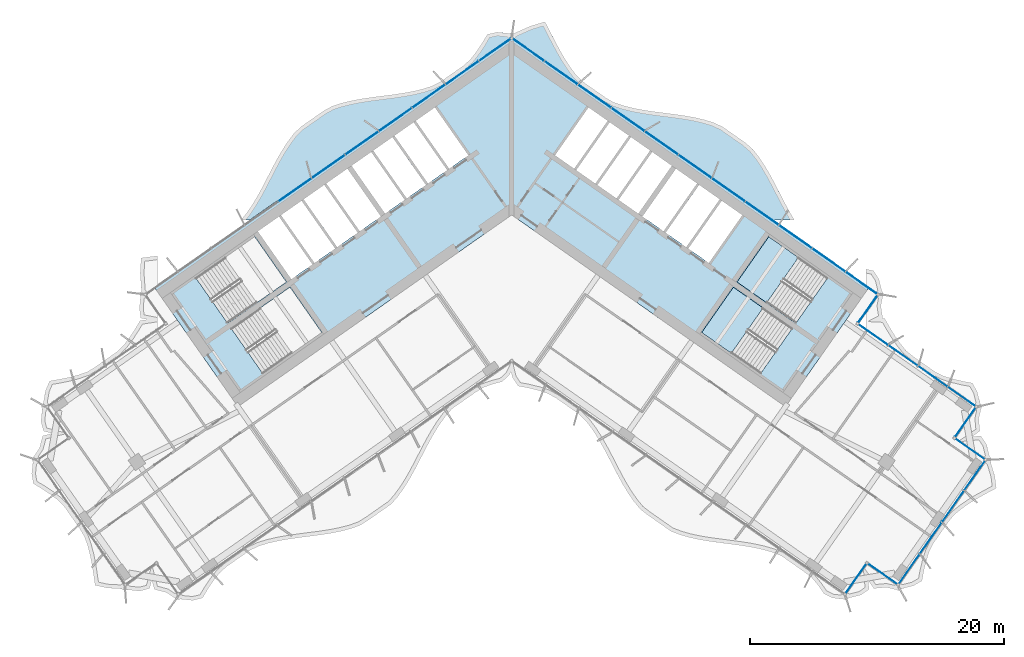
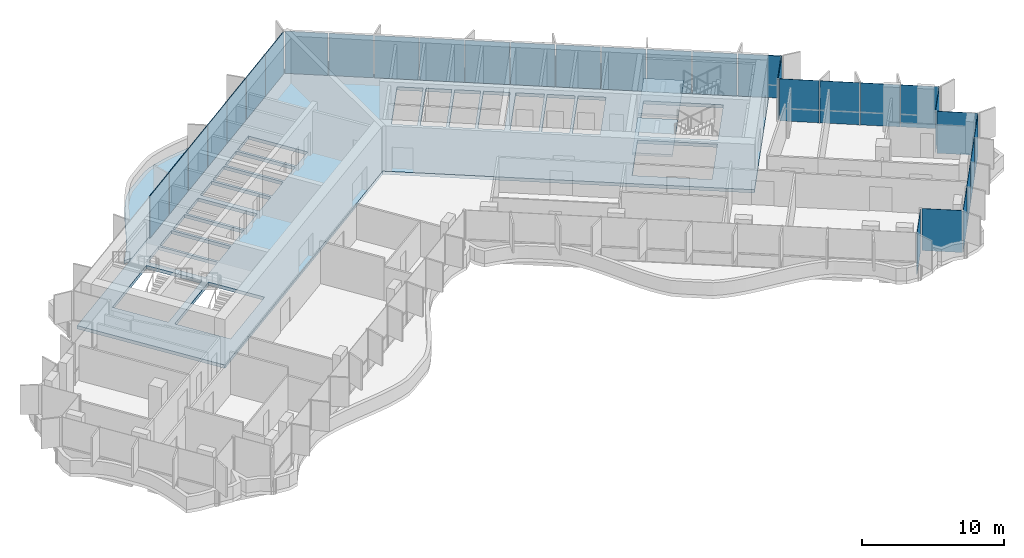
# One storey, part 13 of 23: 31 plates, 4 slabs, 4 elements without a shape of their own.
"""IFC4 building model written with IfcOpenShell, lengths in metres."""

from ifc_helpers import new_model, si_unit, direction, frame, origin, origin_2d, place, context, subcontext, project, spatial, polyline, rectangle, outline, extrude, material, layer, layer_set, type_object, element, aggregate, save


model = new_model("IFC4")

# Units and contexts
model_context = context("Model", 3, precision=1e-05, world=origin(), true_north=direction((0.0, 1.0)))
body_context = subcontext(model_context, "Body", "Model", "MODEL_VIEW")
ifc_project = project(units=[si_unit("LENGTHUNIT", "METRE"), si_unit("AREAUNIT", "SQUARE_METRE"), si_unit("VOLUMEUNIT", "CUBIC_METRE"), si_unit("PLANEANGLEUNIT", "RADIAN"), si_unit("MASSUNIT", "GRAM", prefix="KILO")], contexts=[model_context])

# Site, building, storey
site_placement = place(None, origin())
site = spatial("IfcSite", under=ifc_project, at=site_placement, CompositionType="ELEMENT")
building_placement = place(site_placement, origin())
building = spatial("IfcBuilding", under=site, at=building_placement, Name="Tel Ilan Convention Tower", CompositionType="ELEMENT")
storey_placement = place(building_placement, frame((0.0, 0.0, 178.800048828125)))
storey = spatial("IfcBuildingStorey", under=building, at=storey_placement, Name="L41", CompositionType="ELEMENT", Elevation=178.800048828125)

# Curtain wall, plates
ifc_material_1 = material(Name="Aluminium, bronze anodised", Category="aluminium")
curtain_wall_type_1 = type_object("IfcCurtainWallType", Name="CW4 STICK CURTAIN WALL, OFFICE TINTED GLASS", PredefinedType="NOTDEFINED", material=ifc_material_1)
curtain_wall_1_placement = place(storey_placement, origin())
curtain_wall_1 = element("IfcCurtainWall", 1, at=curtain_wall_1_placement, inside=storey, type_object=curtain_wall_type_1, Name="Curtain wall CW4-31.02", PredefinedType="NOTDEFINED")
ifc_material_2 = material(Name="Glass, bronze tinted, two-ply", Category="glass")
ifc_layer_1 = layer(ifc_material_2, 0.028076171875)
ifc_layer_set_1 = layer_set([ifc_layer_1], Name="CW GLASS PANEL 28")
plate_type_1 = type_object("IfcPlateType", Name="CW GLASS PANEL 28", PredefinedType="CURTAIN_PANEL", material=ifc_layer_set_1)
plate_1_placement = place(storey_placement, frame((27.065673828125, -29.863525390625, 0.0), z_axis=(0.0, 0.0, 1.0), x_axis=(0.573576436351, 0.819152044289, 0.0)))
plate_1 = element("IfcPlate", 2, at=plate_1_placement, type_object=plate_type_1, Name="Glass panel", PredefinedType="CURTAIN_PANEL", context=body_context, shape_type="SweptSolid", body=[
    extrude(rectangle(XDim=2.875, YDim=0.028076171875, at=origin_2d()), origin(), (0.0, 0.0, 1.0), 3.6201171875),
])
plate_2_placement = place(storey_placement, frame((29.20849609375, -29.48583984375, 0.0), z_axis=(0.0, 0.0, 1.0), x_axis=(0.819152044289, -0.573576436351, 0.0)))
plate_2 = element("IfcPlate", 3, at=plate_2_placement, type_object=plate_type_1, Name="Glass panel", PredefinedType="CURTAIN_PANEL", context=body_context, shape_type="SweptSolid", body=[
    extrude(rectangle(XDim=2.875, YDim=0.028076171875, at=origin_2d()), origin(), (0.0, 0.0, 1.0), 3.6201171875),
])
plate_3_placement = place(storey_placement, frame((31.25, -29.1181640625, 0.0), z_axis=(0.0, 0.0, 1.0), x_axis=(0.573576436351, 0.819152044289, 0.0)))
plate_3 = element("IfcPlate", 4, at=plate_3_placement, type_object=plate_type_1, Name="Glass panel", PredefinedType="CURTAIN_PANEL", context=body_context, shape_type="SweptSolid", body=[
    extrude(rectangle(XDim=2.89599609375, YDim=0.028076171875, at=origin_2d()), origin(), (0.0, 0.0, 1.0), 3.6201171875),
])
plate_4_placement = place(storey_placement, frame((32.972412109375, -26.658203125, 0.0), z_axis=(0.0, 0.0, 1.0), x_axis=(0.573576436351, 0.819152044289, 0.0)))
plate_4 = element("IfcPlate", 5, at=plate_4_placement, type_object=plate_type_1, Name="Glass panel", PredefinedType="CURTAIN_PANEL", context=body_context, shape_type="SweptSolid", body=[
    extrude(rectangle(XDim=2.989990234375, YDim=0.028076171875, at=origin_2d()), origin(), (0.0, 0.0, 1.0), 3.6201171875),
])
plate_5_placement = place(storey_placement, frame((34.721923828125, -24.159912109375, 0.0), z_axis=(0.0, 0.0, 1.0), x_axis=(0.573576436351, 0.819152044289, 0.0)))
plate_5 = element("IfcPlate", 6, at=plate_5_placement, type_object=plate_type_1, Name="Glass panel", PredefinedType="CURTAIN_PANEL", context=body_context, shape_type="SweptSolid", body=[
    extrude(rectangle(XDim=2.989990234375, YDim=0.028076171875, at=origin_2d()), origin(), (0.0, 0.0, 1.0), 3.6201171875),
])
plate_6_placement = place(storey_placement, frame((36.4443359375, -21.699951171875, 0.0), z_axis=(0.0, 0.0, 1.0), x_axis=(0.573576436351, 0.819152044289, 0.0)))
plate_6 = element("IfcPlate", 7, at=plate_6_placement, type_object=plate_type_1, Name="Glass panel", PredefinedType="CURTAIN_PANEL", context=body_context, shape_type="SweptSolid", body=[
    extrude(rectangle(XDim=2.89599609375, YDim=0.028076171875, at=origin_2d()), origin(), (0.0, 0.0, 1.0), 3.6201171875),
])
plate_7_placement = place(storey_placement, frame((36.09130859375, -19.656005859375, 0.0), z_axis=(0.0, 0.0, 1.0), x_axis=(-0.819152044289, 0.573576436351, 0.0)))
plate_7 = element("IfcPlate", 8, at=plate_7_placement, type_object=plate_type_1, Name="Glass panel", PredefinedType="CURTAIN_PANEL", context=body_context, shape_type="SweptSolid", body=[
    extrude(rectangle(XDim=2.875, YDim=0.028076171875, at=origin_2d()), origin(), (0.0, 0.0, 1.0), 3.6201171875),
])
plate_8_placement = place(storey_placement, frame((35.713623046875, -17.51318359375, 0.0), z_axis=(0.0, 0.0, 1.0), x_axis=(0.573576436351, 0.819152044289, 0.0)))
plate_8 = element("IfcPlate", 9, at=plate_8_placement, type_object=plate_type_1, Name="Glass panel", PredefinedType="CURTAIN_PANEL", context=body_context, shape_type="SweptSolid", body=[
    extrude(rectangle(XDim=2.875, YDim=0.028076171875, at=origin_2d()), origin(), (0.0, 0.0, 1.0), 3.6201171875),
])
plate_9_placement = place(storey_placement, frame((35.427978515625, -15.529052734375, 0.0), z_axis=(0.0, 0.0, 1.0), x_axis=(-0.819152044289, 0.573576436351, 0.0)))
plate_9 = element("IfcPlate", 10, at=plate_9_placement, type_object=plate_type_1, Name="Glass panel", PredefinedType="CURTAIN_PANEL", context=body_context, shape_type="SweptSolid", body=[
    extrude(rectangle(XDim=2.696044921875, YDim=0.028076171875, at=origin_2d()), origin(), (0.0, 0.0, 1.0), 3.6201171875),
])
plate_10_placement = place(storey_placement, frame((33.1318359375, -13.92138671875, 0.0), z_axis=(0.0, 0.0, 1.0), x_axis=(-0.819152044289, 0.573576436351, 0.0)))
plate_10 = element("IfcPlate", 11, at=plate_10_placement, type_object=plate_type_1, Name="Glass panel", PredefinedType="CURTAIN_PANEL", context=body_context, shape_type="SweptSolid", body=[
    extrude(rectangle(XDim=2.7900390625, YDim=0.028076171875, at=origin_2d()), origin(), (0.0, 0.0, 1.0), 3.6201171875),
])
plate_11_placement = place(storey_placement, frame((30.79736328125, -12.28662109375, 0.0), z_axis=(0.0, 0.0, 1.0), x_axis=(-0.819152044289, 0.573576436351, 0.0)))
plate_11 = element("IfcPlate", 12, at=plate_11_placement, type_object=plate_type_1, Name="Glass panel", PredefinedType="CURTAIN_PANEL", context=body_context, shape_type="SweptSolid", body=[
    extrude(rectangle(XDim=2.7900390625, YDim=0.028076171875, at=origin_2d()), origin(), (0.0, 0.0, 1.0), 3.6201171875),
])
plate_12_placement = place(storey_placement, frame((28.450927734375, -10.6435546875, 0.0), z_axis=(0.0, 0.0, 1.0), x_axis=(-0.819152044289, 0.573576436351, 0.0)))
plate_12 = element("IfcPlate", 13, at=plate_12_placement, type_object=plate_type_1, Name="Glass panel", PredefinedType="CURTAIN_PANEL", context=body_context, shape_type="SweptSolid", body=[
    extrude(rectangle(XDim=2.819091796875, YDim=0.028076171875, at=origin_2d()), origin(), (0.0, 0.0, 1.0), 3.6201171875),
])
aggregate(curtain_wall_1, [plate_1, plate_2, plate_3, plate_4, plate_5, plate_6, plate_7, plate_8, plate_9, plate_10, plate_11, plate_12])

ifc_material_3 = material(Name="Aluminium, bronze anodised", Category="aluminium")
curtain_wall_type_2 = type_object("IfcCurtainWallType", Name="CW2 STICK CURTAIN WALL, SPANDREL PANELS", PredefinedType="NOTDEFINED", material=ifc_material_3)
curtain_wall_2_placement = place(storey_placement, origin())
curtain_wall_2 = element("IfcCurtainWall", 14, at=curtain_wall_2_placement, inside=storey, type_object=curtain_wall_type_2, Name="Curtain wall CW2-31.01", PredefinedType="NOTDEFINED")
ifc_material_4 = material(Name="Aluminium composite panel, bronze anodised", Category="aluminium")
ifc_layer_2 = layer(ifc_material_4, 0.06005859375)
ifc_layer_set_2 = layer_set([ifc_layer_2], Name="CW SPANDREL PANEL 60")
plate_type_2 = type_object("IfcPlateType", Name="CW SPANDREL PANEL 60", PredefinedType="CURTAIN_PANEL", material=ifc_layer_set_2)
plate_13_placement = place(storey_placement, frame((28.033935546875, -8.60546875, 0.0), z_axis=(0.0, 0.0, 1.0), x_axis=(0.573576436351, 0.819152044289, 0.0)))
plate_13 = element("IfcPlate", 15, at=plate_13_placement, type_object=plate_type_2, Name="Spandrel panel", PredefinedType="CURTAIN_PANEL", context=body_context, shape_type="SweptSolid", body=[
    extrude(rectangle(XDim=2.658935546875, YDim=0.06005859375, at=origin_2d()), origin(), (0.0, 0.0, 1.0), 3.6201171875),
])
plate_14_placement = place(storey_placement, frame((27.5400390625, -6.587646484375, 0.0), z_axis=(0.0, 0.0, 1.0), x_axis=(-0.819152044289, 0.573576436351, 0.0)))
plate_14 = element("IfcPlate", 16, at=plate_14_placement, type_object=plate_type_2, Name="Spandrel panel", PredefinedType="CURTAIN_PANEL", context=body_context, shape_type="SweptSolid", body=[
    extrude(rectangle(XDim=3.0439453125, YDim=0.06005859375, at=origin_2d()), origin(), (0.0, 0.0, 1.0), 3.6201171875),
])
plate_15_placement = place(storey_placement, frame((24.95263671875, -4.77587890625, 0.0), z_axis=(0.0, 0.0, 1.0), x_axis=(-0.819152044289, 0.573576436351, 0.0)))
plate_15 = element("IfcPlate", 17, at=plate_15_placement, type_object=plate_type_2, Name="Spandrel panel", PredefinedType="CURTAIN_PANEL", context=body_context, shape_type="SweptSolid", body=[
    extrude(rectangle(XDim=3.15380859375, YDim=0.06005859375, at=origin_2d()), origin(), (0.0, 0.0, 1.0), 3.6201171875),
])
plate_16_placement = place(storey_placement, frame((22.31982421875, -2.9326171875, 0.0), z_axis=(0.0, 0.0, 1.0), x_axis=(-0.819152044289, 0.573576436351, 0.0)))
plate_16 = element("IfcPlate", 18, at=plate_16_placement, type_object=plate_type_2, Name="Spandrel panel", PredefinedType="CURTAIN_PANEL", context=body_context, shape_type="SweptSolid", body=[
    extrude(rectangle(XDim=3.15380859375, YDim=0.06005859375, at=origin_2d()), origin(), (0.0, 0.0, 1.0), 3.6201171875),
])
plate_17_placement = place(storey_placement, frame((19.687255859375, -1.089111328125, 0.0), z_axis=(0.0, 0.0, 1.0), x_axis=(-0.819152044289, 0.573576436351, 0.0)))
plate_17 = element("IfcPlate", 19, at=plate_17_placement, type_object=plate_type_2, Name="Spandrel panel", PredefinedType="CURTAIN_PANEL", context=body_context, shape_type="SweptSolid", body=[
    extrude(rectangle(XDim=3.15380859375, YDim=0.06005859375, at=origin_2d()), origin(), (0.0, 0.0, 1.0), 3.6201171875),
])
plate_18_placement = place(storey_placement, frame((17.0546875, 0.754150390625, 0.0), z_axis=(0.0, 0.0, 1.0), x_axis=(-0.819152044289, 0.573576436351, 0.0)))
plate_18 = element("IfcPlate", 20, at=plate_18_placement, type_object=plate_type_2, Name="Spandrel panel", PredefinedType="CURTAIN_PANEL", context=body_context, shape_type="SweptSolid", body=[
    extrude(rectangle(XDim=3.15380859375, YDim=0.06005859375, at=origin_2d()), origin(), (0.0, 0.0, 1.0), 3.6201171875),
])
plate_19_placement = place(storey_placement, frame((14.422119140625, 2.59765625, 0.0), z_axis=(0.0, 0.0, 1.0), x_axis=(-0.819152044289, 0.573576436351, 0.0)))
plate_19 = element("IfcPlate", 21, at=plate_19_placement, type_object=plate_type_2, Name="Spandrel panel", PredefinedType="CURTAIN_PANEL", context=body_context, shape_type="SweptSolid", body=[
    extrude(rectangle(XDim=3.15380859375, YDim=0.06005859375, at=origin_2d()), origin(), (0.0, 0.0, 1.0), 3.6201171875),
])
plate_20_placement = place(storey_placement, frame((11.789306640625, 4.44091796875, 0.0), z_axis=(0.0, 0.0, 1.0), x_axis=(-0.819152044289, 0.573576436351, 0.0)))
plate_20 = element("IfcPlate", 22, at=plate_20_placement, type_object=plate_type_2, Name="Spandrel panel", PredefinedType="CURTAIN_PANEL", context=body_context, shape_type="SweptSolid", body=[
    extrude(rectangle(XDim=3.15380859375, YDim=0.06005859375, at=origin_2d()), origin(), (0.0, 0.0, 1.0), 3.6201171875),
])
plate_21_placement = place(storey_placement, frame((9.15673828125, 6.284423828125, 0.0), z_axis=(0.0, 0.0, 1.0), x_axis=(-0.819152044289, 0.573576436351, 0.0)))
plate_21 = element("IfcPlate", 23, at=plate_21_placement, type_object=plate_type_2, Name="Spandrel panel", PredefinedType="CURTAIN_PANEL", context=body_context, shape_type="SweptSolid", body=[
    extrude(rectangle(XDim=3.15380859375, YDim=0.06005859375, at=origin_2d()), origin(), (0.0, 0.0, 1.0), 3.6201171875),
])
plate_22_placement = place(storey_placement, frame((6.524169921875, 8.127685546875, 0.0), z_axis=(0.0, 0.0, 1.0), x_axis=(-0.819152044289, 0.573576436351, 0.0)))
plate_22 = element("IfcPlate", 24, at=plate_22_placement, type_object=plate_type_2, Name="Spandrel panel", PredefinedType="CURTAIN_PANEL", context=body_context, shape_type="SweptSolid", body=[
    extrude(rectangle(XDim=3.15380859375, YDim=0.06005859375, at=origin_2d()), origin(), (0.0, 0.0, 1.0), 3.6201171875),
])
plate_23_placement = place(storey_placement, frame((3.8916015625, 9.97119140625, 0.0), z_axis=(0.0, 0.0, 1.0), x_axis=(-0.819152044289, 0.573576436351, 0.0)))
plate_23 = element("IfcPlate", 25, at=plate_23_placement, type_object=plate_type_2, Name="Spandrel panel", PredefinedType="CURTAIN_PANEL", context=body_context, shape_type="SweptSolid", body=[
    extrude(rectangle(XDim=3.15380859375, YDim=0.06005859375, at=origin_2d()), origin(), (0.0, 0.0, 1.0), 3.6201171875),
])
plate_24_placement = place(storey_placement, frame((1.303955078125, 11.782958984375, 0.0), z_axis=(0.0, 0.0, 1.0), x_axis=(-0.819152044289, 0.573576436351, 0.0)))
plate_24 = element("IfcPlate", 26, at=plate_24_placement, type_object=plate_type_2, Name="Spandrel panel", PredefinedType="CURTAIN_PANEL", context=body_context, shape_type="SweptSolid", body=[
    extrude(rectangle(XDim=3.0439453125, YDim=0.06005859375, at=origin_2d()), origin(), (0.0, 0.0, 1.0), 3.6201171875),
])
plate_25_placement = place(storey_placement, frame((-1.303955078125, 11.782958984375, 0.0), z_axis=(0.0, 0.0, 1.0), x_axis=(-0.819152044289, -0.573576436351, 0.0)))
plate_25 = element("IfcPlate", 27, at=plate_25_placement, type_object=plate_type_2, Name="Spandrel panel", PredefinedType="CURTAIN_PANEL", context=body_context, shape_type="SweptSolid", body=[
    extrude(rectangle(XDim=3.0439453125, YDim=0.06005859375, at=origin_2d()), origin(), (0.0, 0.0, 1.0), 3.6201171875),
])
plate_26_placement = place(storey_placement, frame((-3.8916015625, 9.97119140625, 0.0), z_axis=(0.0, 0.0, 1.0), x_axis=(-0.819152044289, -0.573576436351, 0.0)))
plate_26 = element("IfcPlate", 28, at=plate_26_placement, type_object=plate_type_2, Name="Spandrel panel", PredefinedType="CURTAIN_PANEL", context=body_context, shape_type="SweptSolid", body=[
    extrude(rectangle(XDim=3.15380859375, YDim=0.06005859375, at=origin_2d()), origin(), (0.0, 0.0, 1.0), 3.6201171875),
])
plate_27_placement = place(storey_placement, frame((-6.524169921875, 8.127685546875, 0.0), z_axis=(0.0, 0.0, 1.0), x_axis=(-0.819152044289, -0.573576436351, 0.0)))
plate_27 = element("IfcPlate", 29, at=plate_27_placement, type_object=plate_type_2, Name="Spandrel panel", PredefinedType="CURTAIN_PANEL", context=body_context, shape_type="SweptSolid", body=[
    extrude(rectangle(XDim=3.15380859375, YDim=0.06005859375, at=origin_2d()), origin(), (0.0, 0.0, 1.0), 3.6201171875),
])
plate_28_placement = place(storey_placement, frame((-9.15673828125, 6.284423828125, 0.0), z_axis=(0.0, 0.0, 1.0), x_axis=(-0.819152044289, -0.573576436351, 0.0)))
plate_28 = element("IfcPlate", 30, at=plate_28_placement, type_object=plate_type_2, Name="Spandrel panel", PredefinedType="CURTAIN_PANEL", context=body_context, shape_type="SweptSolid", body=[
    extrude(rectangle(XDim=3.15380859375, YDim=0.06005859375, at=origin_2d()), origin(), (0.0, 0.0, 1.0), 3.6201171875),
])
plate_29_placement = place(storey_placement, frame((-11.789306640625, 4.44091796875, 0.0), z_axis=(0.0, 0.0, 1.0), x_axis=(-0.819152044289, -0.573576436351, 0.0)))
plate_29 = element("IfcPlate", 31, at=plate_29_placement, type_object=plate_type_2, Name="Spandrel panel", PredefinedType="CURTAIN_PANEL", context=body_context, shape_type="SweptSolid", body=[
    extrude(rectangle(XDim=3.15380859375, YDim=0.06005859375, at=origin_2d()), origin(), (0.0, 0.0, 1.0), 3.6201171875),
])
plate_30_placement = place(storey_placement, frame((-14.422119140625, 2.59765625, 0.0), z_axis=(0.0, 0.0, 1.0), x_axis=(-0.819152044289, -0.573576436351, 0.0)))
plate_30 = element("IfcPlate", 32, at=plate_30_placement, type_object=plate_type_2, Name="Spandrel panel", PredefinedType="CURTAIN_PANEL", context=body_context, shape_type="SweptSolid", body=[
    extrude(rectangle(XDim=3.15380859375, YDim=0.06005859375, at=origin_2d()), origin(), (0.0, 0.0, 1.0), 3.6201171875),
])
plate_31_placement = place(storey_placement, frame((-17.0546875, 0.754150390625, 0.0), z_axis=(0.0, 0.0, 1.0), x_axis=(-0.819152044289, -0.573576436351, 0.0)))
plate_31 = element("IfcPlate", 33, at=plate_31_placement, type_object=plate_type_2, Name="Spandrel panel", PredefinedType="CURTAIN_PANEL", context=body_context, shape_type="SweptSolid", body=[
    extrude(rectangle(XDim=3.15380859375, YDim=0.06005859375, at=origin_2d()), origin(), (0.0, 0.0, 1.0), 3.6201171875),
])
aggregate(curtain_wall_2, [plate_13, plate_14, plate_15, plate_16, plate_17, plate_18, plate_19, plate_20, plate_21, plate_22, plate_23, plate_24, plate_25, plate_26, plate_27, plate_28, plate_29, plate_30, plate_31])

# Stair, slab
ifc_material_5 = material(Name="Concrete C40/50", Category="concrete")
stair_type = type_object("IfcStairType", Name="Pressurised Exit Stair 22 risers 177 mm", PredefinedType="HALF_TURN_STAIR", material=ifc_material_5)
stair_1_placement = place(storey_placement, origin())
stair_1 = element("IfcStair", 34, at=stair_1_placement, inside=storey, type_object=stair_type, Name="L41 Pressurised Stair S3", PredefinedType="HALF_TURN_STAIR")
ifc_material_6 = material(Name="Concrete C40/50", Category="concrete")
ifc_layer_3 = layer(ifc_material_6, 0.199951171875)
ifc_layer_set_3 = layer_set([ifc_layer_3], Name="Concrete Stair Landing 200 mm C40/50")
slab_type_1 = type_object("IfcSlabType", Name="Concrete Stair Landing 200 mm", PredefinedType="LANDING", material=ifc_layer_set_3)
slab_1_placement = place(storey_placement, frame((0.0, 0.0, 1.75)))
slab_1 = element("IfcSlab", 35, at=slab_1_placement, type_object=slab_type_1, Name="S3 landing 1", PredefinedType="LANDING", context=body_context, shape_type="SweptSolid", body=[
    extrude(outline(polyline([(22.561767578125, -4.566650390625), (20.226318359375, -2.931640625), (17.7314453125, -6.494873046875), (20.066650390625, -8.130126953125), (22.561767578125, -4.566650390625)])), origin(), (0.0, 0.0, 1.0), 0.199951171875),
])
aggregate(stair_1, [slab_1])

stair_2_placement = place(storey_placement, origin())
stair_2 = element("IfcStair", 36, at=stair_2_placement, inside=storey, type_object=stair_type, Name="L41 Pressurised Stair S4", PredefinedType="HALF_TURN_STAIR")
slab_2_placement = place(storey_placement, frame((0.0, 0.0, 1.75)))
slab_2 = element("IfcSlab", 37, at=slab_2_placement, type_object=slab_type_1, Name="S4 landing 1", PredefinedType="LANDING", context=body_context, shape_type="SweptSolid", body=[
    extrude(outline(polyline([(19.77978515625, -8.53955078125), (17.444580078125, -6.904541015625), (14.949462890625, -10.4677734375), (17.28466796875, -12.10302734375), (19.77978515625, -8.53955078125)])), origin(), (0.0, 0.0, 1.0), 0.199951171875),
])
aggregate(stair_2, [slab_2])

# Slabs
ifc_material_7 = material(Name="Concrete C40/50", Category="concrete")
ifc_layer_4 = layer(ifc_material_7, 0.280029296875)
ifc_layer_set_4 = layer_set([ifc_layer_4], Name="Core Floor Slab 280 mm C40/50")
slab_type_2 = type_object("IfcSlabType", Name="Core Floor Slab 280 mm C40/50", PredefinedType="FLOOR", material=ifc_layer_set_4)
slab_3_placement = place(storey_placement, frame((0.0, 0.0, -0.280029296875)))
element("IfcSlab", 38, at=slab_3_placement, inside=storey, type_object=slab_type_2, Name="L41 core floor 1", PredefinedType="FLOOR", context=body_context, shape_type="SweptSolid", body=[
    extrude(outline(polyline([(-28.1396484375, -6.885498046875), (0.0, 12.818115234375), (28.1396484375, -6.885498046875), (21.54345703125, -16.3056640625), (0.0, -1.220703125), (-21.54345703125, -16.3056640625), (-28.1396484375, -6.885498046875)]), holes=[polyline([(-14.949462890625, -10.4677734375), (-17.444580078125, -6.904541015625), (-22.072021484375, -10.144775390625), (-19.5771484375, -13.7080078125), (-14.949462890625, -10.4677734375)]), polyline([(-17.7314453125, -6.494873046875), (-20.226318359375, -2.931640625), (-24.85400390625, -6.171875), (-22.35888671875, -9.735107421875), (-17.7314453125, -6.494873046875)]), polyline([(-18.313720703125, -1.34814453125), (-19.972412109375, -2.509521484375), (-17.333984375, -6.277587890625), (-15.67529296875, -5.1162109375), (-18.313720703125, -1.34814453125)]), polyline([(-16.531982421875, -0.1005859375), (-18.14990234375, -1.2333984375), (-15.511474609375, -5.00146484375), (-13.8935546875, -3.86865234375), (-16.531982421875, -0.1005859375)]), polyline([(-14.75048828125, 1.14697265625), (-16.368408203125, 0.01416015625), (-13.729736328125, -3.75390625), (-12.112060546875, -2.62109375), (-14.75048828125, 1.14697265625)]), polyline([(-12.927734375, 2.423095703125), (-14.586669921875, 1.26171875), (-11.947998046875, -2.506591796875), (-10.289306640625, -1.344970703125), (-12.927734375, 2.423095703125)]), polyline([(-11.053955078125, 3.735107421875), (-12.60009765625, 2.652587890625), (-9.961669921875, -1.115478515625), (-8.41552734375, -0.032958984375), (-11.053955078125, 3.735107421875)]), polyline([(-6.74658203125, 1.1357421875), (-9.385009765625, 4.90380859375), (-10.89013671875, 3.849853515625), (-8.251708984375, 0.081787109375), (-6.74658203125, 1.1357421875)]), polyline([(-5.077392578125, 2.304443359375), (-7.716064453125, 6.072509765625), (-9.22119140625, 5.0185546875), (-6.582763671875, 1.25048828125), (-5.077392578125, 2.304443359375)]), polyline([(-6.046875, 7.2412109375), (-7.552001953125, 6.187255859375), (-4.913818359375, 2.419189453125), (-3.408447265625, 3.47314453125), (-6.046875, 7.2412109375)]), polyline([(17.444580078125, -6.904541015625), (14.949462890625, -10.4677734375), (19.5771484375, -13.7080078125), (22.072021484375, -10.144775390625), (17.444580078125, -6.904541015625)]), polyline([(20.226318359375, -2.931640625), (17.7314453125, -6.494873046875), (22.35888671875, -9.735107421875), (24.85400390625, -6.171875), (20.226318359375, -2.931640625)]), polyline([(13.8935546875, -3.86865234375), (15.511474609375, -5.00146484375), (18.14990234375, -1.2333984375), (16.531982421875, -0.1005859375), (13.8935546875, -3.86865234375)]), polyline([(12.112060546875, -2.62109375), (13.729736328125, -3.75390625), (16.368408203125, 0.01416015625), (14.75048828125, 1.14697265625), (12.112060546875, -2.62109375)]), polyline([(11.947998046875, -2.506591796875), (14.586669921875, 1.26171875), (12.927734375, 2.423095703125), (10.289306640625, -1.344970703125), (11.947998046875, -2.506591796875)]), polyline([(9.961669921875, -1.115478515625), (12.60009765625, 2.652587890625), (11.053955078125, 3.735107421875), (8.41552734375, -0.032958984375), (9.961669921875, -1.115478515625)]), polyline([(8.251708984375, 0.081787109375), (10.89013671875, 3.849853515625), (9.385009765625, 4.90380859375), (6.74658203125, 1.1357421875), (8.251708984375, 0.081787109375)]), polyline([(5.077392578125, 2.304443359375), (6.582763671875, 1.25048828125), (9.22119140625, 5.0185546875), (7.716064453125, 6.072509765625), (5.077392578125, 2.304443359375)]), polyline([(3.408447265625, 3.47314453125), (4.913818359375, 2.419189453125), (7.552001953125, 6.187255859375), (6.046875, 7.2412109375), (3.408447265625, 3.47314453125)])]), origin(), (0.0, 0.0, 1.0), 0.280029296875),
])
ifc_material_8 = material(Name="Concrete C40/50", Category="concrete")
ifc_layer_5 = layer(ifc_material_8, 0.280029296875)
ifc_layer_set_5 = layer_set([ifc_layer_5], Name="Edge Ledge Slab 280 mm C40/50")
slab_type_3 = type_object("IfcSlabType", Name="Edge Ledge Slab 280 mm C40/50", PredefinedType="FLOOR", material=ifc_layer_set_5)
slab_4_placement = place(storey_placement, frame((0.0, 0.0, -0.280029296875)))
element("IfcSlab", 39, at=slab_4_placement, inside=storey, type_object=slab_type_3, Name="L41 edge ledge 2", PredefinedType="FLOOR", context=body_context, shape_type="SweptSolid", body=[
    extrude(outline(polyline([(-19.60009765625, 1.004150390625), (-19.217529296875, 1.741943359375), (-18.83642578125, 2.481689453125), (-18.44677734375, 3.209228515625), (-18.0390625, 3.910888671875), (-17.604736328125, 4.574951171875), (-17.13671875, 5.190185546875), (-16.6015625, 5.71044921875), (-14.791748046875, 6.977783203125), (-14.1416015625, 7.33349609375), (-13.41064453125, 7.573486328125), (-12.644287109375, 7.76318359375), (-11.849853515625, 7.91259765625), (-11.03564453125, 8.033935546875), (-10.211181640625, 8.140380859375), (-9.385986328125, 8.24609375), (-8.570068359375, 8.36474609375), (-7.7724609375, 8.509765625), (-7.002197265625, 8.693603515625), (-6.26611328125, 8.926513671875), (-5.601806640625, 9.261962890625), (-3.7919921875, 10.529296875), (-3.2421875, 11.0283203125), (-2.769287109375, 11.63671875), (-2.3310546875, 12.294921875), (-1.919921875, 12.991943359375), (-1.14208984375, 13.1650390625), (-0.172119140625, 13.06396484375), (-0.168701171875, 13.05908203125), (-0.11474609375, 13.09521484375), (0.0, 13.1181640625), (0.11474609375, 13.09521484375), (0.168701171875, 13.05908203125), (0.172119140625, 13.06396484375), (1.4794921875, 13.647216796875), (2.6162109375, 13.986328125), (3.000244140625, 13.250732421875), (3.38134765625, 12.510986328125), (3.770263671875, 11.7822265625), (4.176513671875, 11.078369140625), (4.608642578125, 10.41162109375), (5.074462890625, 9.792724609375), (5.601806640625, 9.261962890625), (7.411865234375, 7.99462890625), (8.054931640625, 7.62890625), (8.783447265625, 7.385498046875), (9.547607421875, 7.19287109375), (10.340576171875, 7.041015625), (11.15380859375, 6.91845703125), (11.977783203125, 6.811279296875), (12.80322265625, 6.7060546875), (13.6201171875, 6.588623046875), (14.419189453125, 6.44580078125), (15.191650390625, 6.2646484375), (15.929931640625, 6.03515625), (16.6015625, 5.71044921875), (18.41162109375, 4.443115234375), (18.96826171875, 3.9541015625), (19.44384765625, 3.34912109375), (19.884033203125, 2.69384765625), (20.296142578125, 1.998291015625), (20.688720703125, 1.27490234375), (21.07080078125, 0.53662109375), (21.4521484375, -0.202880859375), (21.8427734375, -0.928955078125), (22.25341796875, -1.631591796875), (20.63623046875, -1.631591796875), (0.0, 12.818115234375), (-20.63623046875, -1.631591796875), (-21.30126953125, -1.631591796875), (-20.849609375, -1.0634765625), (-20.4072265625, -0.4111328125), (-19.993408203125, 0.281982421875), (-19.60009765625, 1.004150390625)])), origin(), (0.0, 0.0, 1.0), 0.280029296875),
])

save(model, "model.ifc")
